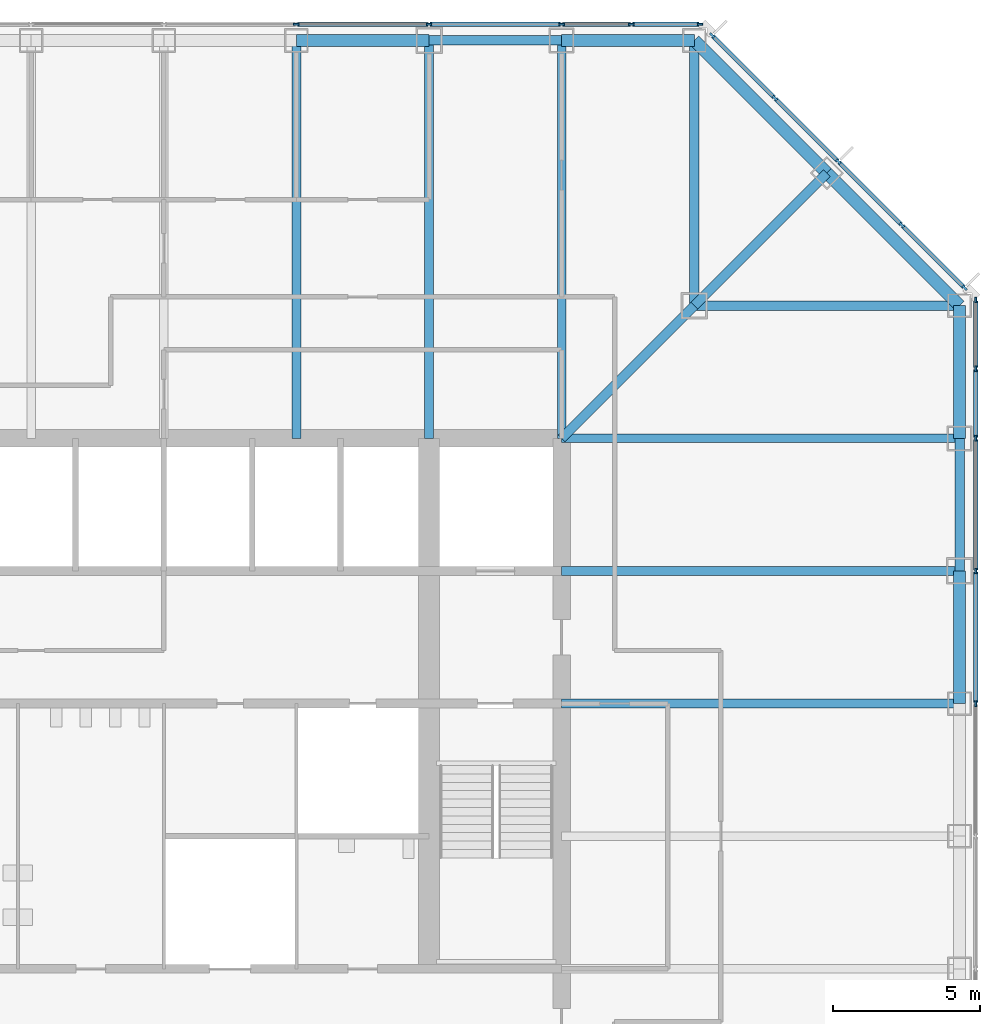
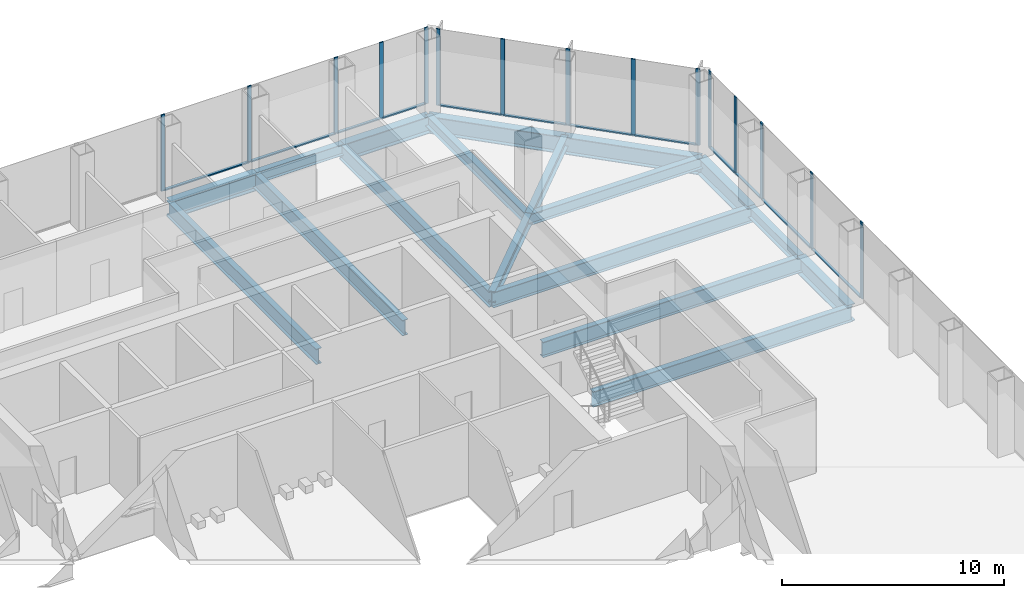
# One storey, part 6 of 13: 27 members, 18 beams, 3 elements without a shape of their own.
"""IFC4 building model written with IfcOpenShell, lengths in metres."""

import ifcopenshell
import ifcopenshell.guid

model = None  # the IFC model being written
_history = None  # IfcOwnerHistory: only IFC2X3 demands one
_inside = {}  # id of a spatial element -> (the spatial element, [elements in it])
_under = {}  # id of a project, library or spatial element -> (it, [spatial elements below it])
_declared = {}  # id of a project -> (the project, [libraries it declares])
_typed = {}  # id of a type object -> (the type object, [elements of that type])
_made_of = {}  # id of a material, layer set ... -> (it, [elements and type objects made of it])


def new_model(schema):
    """Start an empty IFC model of exactly this schema.

    Asked for "IFC4X3", IfcOpenShell would pick the latest addendum, in which some entities
    have other attributes; the version numbers below select the first issue.
    IFC2X3 requires an IfcOwnerHistory on every rooted entity: one is made here for all.
    """
    global model, _history
    if schema == "IFC4X3":
        model = ifcopenshell.file(schema_version=(4, 3, 0, 0))
    else:
        model = ifcopenshell.file(schema=schema)
    _inside.clear()
    _under.clear()
    _declared.clear()
    _typed.clear()
    _made_of.clear()
    _history = None
    if model.schema == "IFC2X3":
        org = make("IfcOrganization", Name="unknown")
        user = make(
            "IfcPersonAndOrganization",
            ThePerson=make("IfcPerson", FamilyName="unknown"),
            TheOrganization=org,
        )
        app = make(
            "IfcApplication",
            ApplicationDeveloper=org,
            Version="unknown",
            ApplicationFullName="unknown",
            ApplicationIdentifier="unknown",
        )
        _history = make(
            "IfcOwnerHistory",
            OwningUser=user,
            OwningApplication=app,
            ChangeAction="ADDED",
            CreationDate=0,
        )
    return model


def make(cls, **values):
    """One entity of the class cls with the attributes given. An attribute that is None is left unset."""
    return model.create_entity(
        cls, **{name: value for name, value in values.items() if value is not None}
    )


def rooted(cls, **values):
    """An entity with a GlobalId (a new one), such as an element, a storey or a relation."""
    return make(cls, GlobalId=ifcopenshell.guid.new(), OwnerHistory=_history, **values)


def si_unit(unit_type, name, prefix=None):
    """IfcSIUnit, for example si_unit("LENGTHUNIT", "METRE", prefix="MILLI")."""
    return make("IfcSIUnit", UnitType=unit_type, Prefix=prefix, Name=name)


def assignment(units):
    """IfcUnitAssignment: the units of a project."""
    return None if units is None else make("IfcUnitAssignment", Units=units)


def point(xyz):
    """IfcCartesianPoint."""
    return None if xyz is None else make("IfcCartesianPoint", Coordinates=xyz)


def direction(xyz):
    """IfcDirection."""
    return None if xyz is None else make("IfcDirection", DirectionRatios=xyz)


def frame(location, z_axis=None, x_axis=None):
    """IfcAxis2Placement3D, a coordinate frame: its origin and axes. An axis left out is left unset."""
    return make(
        "IfcAxis2Placement3D",
        Location=point(location),
        Axis=direction(z_axis),
        RefDirection=direction(x_axis),
    )


def frame_2d(location, x_axis=None):
    """IfcAxis2Placement2D, a coordinate frame in the plane: its origin and x axis."""
    return make(
        "IfcAxis2Placement2D", Location=point(location), RefDirection=direction(x_axis)
    )


def origin():
    """The frame at (0, 0, 0) with its axes left unset."""
    return frame((0.0, 0.0, 0.0))


def origin_2d():
    """The frame at (0, 0) in the plane with its x axis left unset."""
    return frame_2d((0.0, 0.0))


def place(relative_to, where):
    """IfcLocalPlacement: puts the frame where relative to a parent placement (None: the world)."""
    return make(
        "IfcLocalPlacement", PlacementRelTo=relative_to, RelativePlacement=where
    )


def context(
    kind, dimensions, precision=None, world=None, true_north=None, identifier=None
):
    """IfcGeometricRepresentationContext, for example the 3D "Model" context."""
    return make(
        "IfcGeometricRepresentationContext",
        ContextIdentifier=identifier,
        ContextType=kind,
        CoordinateSpaceDimension=dimensions,
        Precision=precision,
        WorldCoordinateSystem=world,
        TrueNorth=true_north,
    )


def subcontext(parent, identifier, kind, view, scale=None):
    """IfcGeometricRepresentationSubContext, for example "Body" below "Model"."""
    return make(
        "IfcGeometricRepresentationSubContext",
        ContextIdentifier=identifier,
        ContextType=kind,
        ParentContext=parent,
        TargetScale=scale,
        TargetView=view,
    )


def project(units=None, contexts=None):
    """IfcProject with its units and contexts."""
    return rooted(
        "IfcProject",
        Name="project",
        RepresentationContexts=contexts,
        UnitsInContext=assignment(units),
    )


def spatial(cls, under=None, at=None, **own):
    """A site, building, storey or space (cls), placed at a placement, below another one or the project."""
    s = rooted(cls, ObjectPlacement=at, **own)
    if under is not None:
        _under.setdefault(under.id(), (under, []))[1].append(s)
    return s


def profile(cls, at=None, kind="AREA", **sizes):
    """A parametric profile (cls). Its sizes go by their IFC names, for example OverallWidth=200.0."""
    return make(cls, ProfileType=kind, Position=at, **sizes)


def rectangle(**sizes):
    """IfcRectangleProfileDef."""
    return profile("IfcRectangleProfileDef", **sizes)


def i_section(**sizes):
    """IfcIShapeProfileDef."""
    return profile("IfcIShapeProfileDef", **sizes)


def extrude(swept, where, along, depth):
    """IfcExtrudedAreaSolid: the profile swept, set in the frame where, extruded along a direction by depth."""
    return make(
        "IfcExtrudedAreaSolid",
        SweptArea=swept,
        Position=where,
        ExtrudedDirection=direction(along),
        Depth=depth,
    )


def shape(context_of_items, identifier, shape_type, items):
    """IfcShapeRepresentation: the items that make up one representation, for example the "Body"."""
    return make(
        "IfcShapeRepresentation",
        ContextOfItems=context_of_items,
        RepresentationIdentifier=identifier,
        RepresentationType=shape_type,
        Items=items,
    )


def material(Name=None, Category=None):
    """IfcMaterial."""
    return make("IfcMaterial", Name=Name, Category=Category)


def material_profile(
    of_material, cross_section, Name=None, Category=None, Priority=None
):
    """IfcMaterialProfile: a cross section and its material."""
    return make(
        "IfcMaterialProfile",
        Name=Name,
        Material=of_material,
        Profile=cross_section,
        Priority=Priority,
        Category=Category,
    )


def profile_set(profiles, Name=None, composite=None):
    """IfcMaterialProfileSet."""
    return make(
        "IfcMaterialProfileSet",
        Name=Name,
        MaterialProfiles=profiles,
        CompositeProfile=composite,
    )


def made_of(thing, what):
    """Note that an element or type object is made of a material, layer set ...; save() writes the relation."""
    if what is not None:
        _made_of.setdefault(what.id(), (what, []))[1].append(thing)
    return thing


def type_object(cls, material=None, **own):
    """A type object (cls), such as IfcWallType, which elements share."""
    return made_of(rooted(cls, **own), material)


def element(
    cls,
    number,
    at=None,
    inside=None,
    cuts=None,
    type_object=None,
    material=None,
    context=None,
    identifier="Body",
    shape_type=None,
    held_by="IfcProductDefinitionShape",
    body=None,
    shapes=None,
    **own,
):
    """One element of the class cls, such as IfcWall. Its Tag is "e" and its number.

    at: its placement. inside: the storey or other place that contains it. cuts: it is an
    opening in that element (IfcRelVoidsElement). A single representation is given by context,
    identifier, shape_type and body (its items); several are given by shapes. held_by: the class
    of the entity that holds the representations. save() writes the other relations.
    """
    e = rooted(cls, Tag="e%d" % number, ObjectPlacement=at, **own)
    if body is not None:
        shapes = [shape(context, identifier, shape_type, body)]
    if shapes is not None:
        e.Representation = make(held_by, Representations=shapes)
    if inside is not None:
        _inside.setdefault(inside.id(), (inside, []))[1].append(e)
    if cuts is not None:
        rooted(
            "IfcRelVoidsElement", RelatingBuildingElement=cuts, RelatedOpeningElement=e
        )
    if type_object is not None:
        _typed.setdefault(type_object.id(), (type_object, []))[1].append(e)
    return made_of(e, material)


def aggregate(whole, parts):
    """IfcRelAggregates: a whole, such as a stair, and the parts it consists of."""
    return rooted("IfcRelAggregates", RelatingObject=whole, RelatedObjects=parts)


def save(model, path):
    """Write the relations noted so far, then the file.

    IfcRelAggregates (storeys below a building ...), IfcRelContainedInSpatialStructure (elements
    in a storey), IfcRelDefinesByType, IfcRelAssociatesMaterial and IfcRelDeclares: one each for
    every whole, place, type object, material and project.
    """
    for whole, parts in _under.values():
        aggregate(whole, parts)
    for where, things in _inside.values():
        rooted(
            "IfcRelContainedInSpatialStructure",
            RelatedElements=things,
            RelatingStructure=where,
        )
    for kind, things in _typed.values():
        rooted("IfcRelDefinesByType", RelatedObjects=things, RelatingType=kind)
    for what, things in _made_of.values():
        rooted("IfcRelAssociatesMaterial", RelatedObjects=things, RelatingMaterial=what)
    for by, libraries in _declared.values():
        rooted("IfcRelDeclares", RelatingContext=by, RelatedDefinitions=libraries)
    model.write(path)


model = new_model("IFC4")

# Units and contexts
model_context = context("Model", 3, precision=1e-05, world=origin(), true_north=direction((0.0, 1.0)))
body_context = subcontext(model_context, "Body", "Model", "MODEL_VIEW")
ifc_project = project(units=[si_unit("LENGTHUNIT", "METRE"), si_unit("AREAUNIT", "SQUARE_METRE"), si_unit("VOLUMEUNIT", "CUBIC_METRE"), si_unit("PLANEANGLEUNIT", "RADIAN"), si_unit("MASSUNIT", "GRAM", prefix="KILO")], contexts=[model_context])

# Site, building, storey
site_placement = place(None, origin())
site = spatial("IfcSite", under=ifc_project, at=site_placement, CompositionType="ELEMENT")
building_placement = place(site_placement, origin())
building = spatial("IfcBuilding", under=site, at=building_placement, Name="Corais Broadcast Tower", CompositionType="ELEMENT")
storey_placement = place(building_placement, frame((0.0, 0.0, 83.60009765625)))
storey = spatial("IfcBuildingStorey", under=building, at=storey_placement, Name="L18", CompositionType="ELEMENT", Elevation=83.60009765625)

# Beams
ifc_material_1 = material(Name="Steel ASTM A572 Grade 50", Category="steel")
ifc_material_profile_1 = material_profile(ifc_material_1, i_section(OverallWidth=0.323974609375, OverallDepth=0.611083984375, WebThickness=0.0126953125, FlangeThickness=0.01904296875, at=origin_2d()), Name="W610x155")
ifc_profile_set_1 = profile_set([ifc_material_profile_1], Name="Steel ASTM A572 Grade 50")
beam_type_1 = type_object("IfcBeamType", Name="Chamfer tie W610x155", PredefinedType="BEAM", material=ifc_profile_set_1)
beam_1_placement = place(storey_placement, frame((49.5, 49.5, -0.465576171875), z_axis=(-0.707106781187, -0.707106781187, 0.0), x_axis=(0.707106781187, -0.707106781187, 0.0)))
element("IfcBeam", 1, at=beam_1_placement, inside=storey, type_object=beam_type_1, Name="B5 M/14 to L/13", PredefinedType="BEAM", context=body_context, shape_type="SweptSolid", body=[
    extrude(i_section(OverallWidth=0.323974609375, OverallDepth=0.611083984375, WebThickness=0.0126953125, FlangeThickness=0.01904296875, at=origin_2d()), origin(), (0.0, 0.0, 1.0), 6.364013671875),
])
ifc_material_2 = material(Name="Steel ASTM A572 Grade 50", Category="steel")
ifc_material_profile_2 = material_profile(ifc_material_2, i_section(OverallWidth=0.323974609375, OverallDepth=0.611083984375, WebThickness=0.0126953125, FlangeThickness=0.01904296875, at=origin_2d()), Name="W610x155")
ifc_profile_set_2 = profile_set([ifc_material_profile_2], Name="Steel ASTM A572 Grade 50")
beam_type_2 = type_object("IfcBeamType", Name="Corner diagonal W610x155", PredefinedType="BEAM", material=ifc_profile_set_2)
beam_2_placement = place(storey_placement, frame((45.0, 45.0, -0.465576171875), z_axis=(-0.707106781187, -0.707106781187, 0.0), x_axis=(0.707106781187, -0.707106781187, 0.0)))
element("IfcBeam", 2, at=beam_2_placement, inside=storey, type_object=beam_type_2, Name="B6 L/13 to K/12", PredefinedType="BEAM", context=body_context, shape_type="SweptSolid", body=[
    extrude(i_section(OverallWidth=0.323974609375, OverallDepth=0.611083984375, WebThickness=0.0126953125, FlangeThickness=0.01904296875, at=origin_2d()), origin(), (0.0, 0.0, 1.0), 6.364013671875),
])
ifc_material_3 = material(Name="Steel ASTM A572 Grade 50", Category="steel")
ifc_material_profile_3 = material_profile(ifc_material_3, i_section(OverallWidth=0.323974609375, OverallDepth=0.611083984375, WebThickness=0.0126953125, FlangeThickness=0.01904296875, at=origin_2d()), Name="W610x155")
ifc_profile_set_3 = profile_set([ifc_material_profile_3], Name="Steel ASTM A572 Grade 50")
beam_type_3 = type_object("IfcBeamType", Name="Corner girder W610x155", PredefinedType="BEAM", material=ifc_profile_set_3)
for number, where, z_axis, x_axis, name in (
    (3, (45.0, 54.0, -0.465576171875), (0.0, -1.0, 0.0), (1.0, 0.0, 0.0), "B4 N/13 to L/13"),
    (4, (54.0, 45.0, -0.465576171875), (-1.0, 0.0, 0.0), (0.0, -1.0, 0.0), "B4 L/15 to L/13"),
):
    element("IfcBeam", number, at=place(storey_placement, frame(where, z_axis=z_axis, x_axis=x_axis)), inside=storey, type_object=beam_type_3, Name=name, PredefinedType="BEAM", context=body_context, shape_type="SweptSolid", body=[
        extrude(i_section(OverallWidth=0.323974609375, OverallDepth=0.611083984375, WebThickness=0.0126953125, FlangeThickness=0.01904296875, at=origin_2d()), origin(), (0.0, 0.0, 1.0), 9.0),
    ])
ifc_material_4 = material(Name="Steel ASTM A572 Grade 50", Category="steel")
ifc_material_profile_4 = material_profile(ifc_material_4, i_section(OverallWidth=0.2939453125, OverallDepth=0.85107421875, WebThickness=0.01611328125, FlangeThickness=0.02685546875, at=origin_2d()), Name="W840x226")
ifc_profile_set_4 = profile_set([ifc_material_profile_4], Name="Steel ASTM A572 Grade 50")
beam_type_4 = type_object("IfcBeamType", Name="Floor beam W840x226", PredefinedType="BEAM", material=ifc_profile_set_4)
for number, where, z_axis, x_axis, name in (
    (5, (31.5, 54.0, -0.585693359375), (0.0, -1.0, 0.0), (1.0, 0.0, 0.0), "B1 N/10 to K/10"),
    (6, (36.0, 54.0, -0.585693359375), (0.0, -1.0, 0.0), (1.0, 0.0, 0.0), "B1 N/11 to K/11"),
    (7, (40.5, 54.0, -0.585693359375), (0.0, -1.0, 0.0), (1.0, 0.0, 0.0), "B1 N/12 to K/12"),
    (8, (54.0, 31.5, -0.585693359375), (-1.0, 0.0, 0.0), (0.0, -1.0, 0.0), "B1 H/15 to H/12"),
    (9, (54.0, 36.0, -0.585693359375), (-1.0, 0.0, 0.0), (0.0, -1.0, 0.0), "B1 J/15 to J/12"),
    (10, (54.0, 40.5, -0.585693359375), (-1.0, 0.0, 0.0), (0.0, -1.0, 0.0), "B1 K/15 to K/12"),
):
    element("IfcBeam", number, at=place(storey_placement, frame(where, z_axis=z_axis, x_axis=x_axis)), inside=storey, type_object=beam_type_4, Name=name, PredefinedType="BEAM", context=body_context, shape_type="SweptSolid", body=[
        extrude(i_section(OverallWidth=0.2939453125, OverallDepth=0.85107421875, WebThickness=0.01611328125, FlangeThickness=0.02685546875, at=origin_2d()), origin(), (0.0, 0.0, 1.0), 13.5),
    ])

# Curtain wall, members
ifc_material_5 = material(Name="Aluminium and glass", Category="aluminium")
curtain_wall_type = type_object("IfcCurtainWallType", Name="Unitised fritted curtain wall CW1", PredefinedType="NOTDEFINED", material=ifc_material_5)
curtain_wall_1_placement = place(storey_placement, origin())
curtain_wall_1 = element("IfcCurtainWall", 11, at=curtain_wall_1_placement, inside=storey, type_object=curtain_wall_type, Name="CW1 curtain wall L18 4", PredefinedType="NOTDEFINED")
ifc_material_6 = material(Name="Aluminium 6063-T6", Category="aluminium")
ifc_material_profile_5 = material_profile(ifc_material_6, rectangle(XDim=0.06494140625, YDim=0.199951171875, at=origin_2d()), Name="Mullion CW1 65x200")
ifc_profile_set_5 = profile_set([ifc_material_profile_5], Name="Aluminium 6063-T6")
member_type_1 = type_object("IfcMemberType", Name="Mullion CW1 65x200", PredefinedType="MULLION", material=ifc_profile_set_5)
member_1_placement = place(storey_placement, frame((31.5, 54.550048828125, 0.0), z_axis=(0.0, 0.0, 1.0), x_axis=(0.0, 1.0, 0.0)))
member_1 = element("IfcMember", 12, at=member_1_placement, type_object=member_type_1, Name="CW1 mullion 7", PredefinedType="MULLION", context=body_context, shape_type="SweptSolid", body=[
    extrude(rectangle(XDim=0.06494140625, YDim=0.199951171875, at=origin_2d()), origin(), (0.0, 0.0, 1.0), 4.199951171875),
])
member_2_placement = place(storey_placement, frame((36.0, 54.550048828125, 0.0), z_axis=(0.0, 0.0, 1.0), x_axis=(0.0, 1.0, 0.0)))
member_2 = element("IfcMember", 13, at=member_2_placement, type_object=member_type_1, Name="CW1 mullion 8", PredefinedType="MULLION", context=body_context, shape_type="SweptSolid", body=[
    extrude(rectangle(XDim=0.06494140625, YDim=0.199951171875, at=origin_2d()), origin(), (0.0, 0.0, 1.0), 4.199951171875),
])
member_3_placement = place(storey_placement, frame((40.5, 54.550048828125, 0.0), z_axis=(0.0, 0.0, 1.0), x_axis=(0.0, 1.0, 0.0)))
member_3 = element("IfcMember", 14, at=member_3_placement, type_object=member_type_1, Name="CW1 mullion 9", PredefinedType="MULLION", context=body_context, shape_type="SweptSolid", body=[
    extrude(rectangle(XDim=0.06494140625, YDim=0.199951171875, at=origin_2d()), origin(), (0.0, 0.0, 1.0), 4.199951171875),
])
member_4_placement = place(storey_placement, frame((42.864013671875, 54.550048828125, 0.0), z_axis=(0.0, 0.0, 1.0), x_axis=(0.0, 1.0, 0.0)))
member_4 = element("IfcMember", 15, at=member_4_placement, type_object=member_type_1, Name="CW1 mullion 10", PredefinedType="MULLION", context=body_context, shape_type="SweptSolid", body=[
    extrude(rectangle(XDim=0.06494140625, YDim=0.199951171875, at=origin_2d()), origin(), (0.0, 0.0, 1.0), 4.199951171875),
])
member_5_placement = place(storey_placement, frame((45.1953125, 54.550048828125, 0.0), z_axis=(0.0, 0.0, 1.0), x_axis=(0.0, 1.0, 0.0)))
member_5 = element("IfcMember", 16, at=member_5_placement, type_object=member_type_1, Name="CW1 mullion 11", PredefinedType="MULLION", context=body_context, shape_type="SweptSolid", body=[
    extrude(rectangle(XDim=0.06494140625, YDim=0.199951171875, at=origin_2d()), origin(), (0.0, 0.0, 1.0), 4.199951171875),
])

curtain_wall_2_placement = place(storey_placement, origin())
curtain_wall_2 = element("IfcCurtainWall", 17, at=curtain_wall_2_placement, inside=storey, type_object=curtain_wall_type, Name="CW1 curtain wall L18 5", PredefinedType="NOTDEFINED")
member_6_placement = place(storey_placement, frame((45.6044921875, 54.17333984375, 0.0), z_axis=(0.0, 0.0, 1.0), x_axis=(0.707106781187, 0.707106781187, 0.0)))
member_6 = element("IfcMember", 18, at=member_6_placement, type_object=member_type_1, Name="CW1 mullion 1", PredefinedType="MULLION", context=body_context, shape_type="SweptSolid", body=[
    extrude(rectangle(XDim=0.06494140625, YDim=0.199951171875, at=origin_2d()), origin(), (0.0, 0.0, 1.0), 4.199951171875),
])
member_7_placement = place(storey_placement, frame((47.735107421875, 52.042724609375, 0.0), z_axis=(0.0, 0.0, 1.0), x_axis=(0.707106781187, 0.707106781187, 0.0)))
member_7 = element("IfcMember", 19, at=member_7_placement, type_object=member_type_1, Name="CW1 mullion 2", PredefinedType="MULLION", context=body_context, shape_type="SweptSolid", body=[
    extrude(rectangle(XDim=0.06494140625, YDim=0.199951171875, at=origin_2d()), origin(), (0.0, 0.0, 1.0), 4.199951171875),
])
member_8_placement = place(storey_placement, frame((49.888916015625, 49.888916015625, 0.0), z_axis=(0.0, 0.0, 1.0), x_axis=(0.707106781187, 0.707106781187, 0.0)))
member_8 = element("IfcMember", 20, at=member_8_placement, type_object=member_type_1, Name="CW1 mullion 3", PredefinedType="MULLION", context=body_context, shape_type="SweptSolid", body=[
    extrude(rectangle(XDim=0.06494140625, YDim=0.199951171875, at=origin_2d()), origin(), (0.0, 0.0, 1.0), 4.199951171875),
])
member_9_placement = place(storey_placement, frame((52.042724609375, 47.735107421875, 0.0), z_axis=(0.0, 0.0, 1.0), x_axis=(0.707106781187, 0.707106781187, 0.0)))
member_9 = element("IfcMember", 21, at=member_9_placement, type_object=member_type_1, Name="CW1 mullion 4", PredefinedType="MULLION", context=body_context, shape_type="SweptSolid", body=[
    extrude(rectangle(XDim=0.06494140625, YDim=0.199951171875, at=origin_2d()), origin(), (0.0, 0.0, 1.0), 4.199951171875),
])
member_10_placement = place(storey_placement, frame((54.17333984375, 45.6044921875, 0.0), z_axis=(0.0, 0.0, 1.0), x_axis=(0.707106781187, 0.707106781187, 0.0)))
member_10 = element("IfcMember", 22, at=member_10_placement, type_object=member_type_1, Name="CW1 mullion 5", PredefinedType="MULLION", context=body_context, shape_type="SweptSolid", body=[
    extrude(rectangle(XDim=0.06494140625, YDim=0.199951171875, at=origin_2d()), origin(), (0.0, 0.0, 1.0), 4.199951171875),
])

curtain_wall_3_placement = place(storey_placement, origin())
curtain_wall_3 = element("IfcCurtainWall", 23, at=curtain_wall_3_placement, inside=storey, type_object=curtain_wall_type, Name="CW1 curtain wall L18 6", PredefinedType="NOTDEFINED")
member_11_placement = place(storey_placement, frame((54.550048828125, 45.1953125, 0.0), z_axis=(0.0, 0.0, 1.0), x_axis=(1.0, 0.0, 0.0)))
member_11 = element("IfcMember", 24, at=member_11_placement, type_object=member_type_1, Name="CW1 mullion 1", PredefinedType="MULLION", context=body_context, shape_type="SweptSolid", body=[
    extrude(rectangle(XDim=0.06494140625, YDim=0.199951171875, at=origin_2d()), origin(), (0.0, 0.0, 1.0), 4.199951171875),
])
member_12_placement = place(storey_placement, frame((54.550048828125, 42.864013671875, 0.0), z_axis=(0.0, 0.0, 1.0), x_axis=(1.0, 0.0, 0.0)))
member_12 = element("IfcMember", 25, at=member_12_placement, type_object=member_type_1, Name="CW1 mullion 2", PredefinedType="MULLION", context=body_context, shape_type="SweptSolid", body=[
    extrude(rectangle(XDim=0.06494140625, YDim=0.199951171875, at=origin_2d()), origin(), (0.0, 0.0, 1.0), 4.199951171875),
])
member_13_placement = place(storey_placement, frame((54.550048828125, 40.5, 0.0), z_axis=(0.0, 0.0, 1.0), x_axis=(1.0, 0.0, 0.0)))
member_13 = element("IfcMember", 26, at=member_13_placement, type_object=member_type_1, Name="CW1 mullion 3", PredefinedType="MULLION", context=body_context, shape_type="SweptSolid", body=[
    extrude(rectangle(XDim=0.06494140625, YDim=0.199951171875, at=origin_2d()), origin(), (0.0, 0.0, 1.0), 4.199951171875),
])
member_14_placement = place(storey_placement, frame((54.550048828125, 36.0, 0.0), z_axis=(0.0, 0.0, 1.0), x_axis=(1.0, 0.0, 0.0)))
member_14 = element("IfcMember", 27, at=member_14_placement, type_object=member_type_1, Name="CW1 mullion 4", PredefinedType="MULLION", context=body_context, shape_type="SweptSolid", body=[
    extrude(rectangle(XDim=0.06494140625, YDim=0.199951171875, at=origin_2d()), origin(), (0.0, 0.0, 1.0), 4.199951171875),
])
member_15_placement = place(storey_placement, frame((54.550048828125, 31.5, 0.0), z_axis=(0.0, 0.0, 1.0), x_axis=(1.0, 0.0, 0.0)))
member_15 = element("IfcMember", 28, at=member_15_placement, type_object=member_type_1, Name="CW1 mullion 5", PredefinedType="MULLION", context=body_context, shape_type="SweptSolid", body=[
    extrude(rectangle(XDim=0.06494140625, YDim=0.199951171875, at=origin_2d()), origin(), (0.0, 0.0, 1.0), 4.199951171875),
])

# Beams
ifc_material_7 = material(Name="Steel ASTM A572 Grade 50", Category="steel")
ifc_material_profile_6 = material_profile(ifc_material_7, i_section(OverallWidth=0.323974609375, OverallDepth=0.611083984375, WebThickness=0.0126953125, FlangeThickness=0.01904296875, at=origin_2d()), Name="W610x155")
ifc_profile_set_6 = profile_set([ifc_material_profile_6], Name="Steel ASTM A572 Grade 50")
beam_type_5 = type_object("IfcBeamType", Name="Pinned spandrel W610x155", PredefinedType="BEAM", material=ifc_profile_set_6)
for number, where, z_axis, x_axis, name in (
    (29, (40.5, 54.0, -0.465576171875), (-1.0, 0.0, 0.0), (0.0, -1.0, 0.0), "SB6 N/12 to N/11"),
    (30, (54.0, 36.0, -0.465576171875), (0.0, 1.0, 0.0), (-1.0, 0.0, 0.0), "SB6 J/15 to K/15"),
):
    element("IfcBeam", number, at=place(storey_placement, frame(where, z_axis=z_axis, x_axis=x_axis)), inside=storey, type_object=beam_type_5, Name=name, PredefinedType="BEAM", context=body_context, shape_type="SweptSolid", body=[
        extrude(i_section(OverallWidth=0.323974609375, OverallDepth=0.611083984375, WebThickness=0.0126953125, FlangeThickness=0.01904296875, at=origin_2d()), origin(), (0.0, 0.0, 1.0), 4.5),
    ])
ifc_material_8 = material(Name="Steel ASTM A572 Grade 50", Category="steel")
ifc_material_profile_7 = material_profile(ifc_material_8, i_section(OverallWidth=0.4189453125, OverallDepth=0.94189453125, WebThickness=0.022216796875, FlangeThickness=0.03662109375, at=origin_2d()), Name="W920x345")
ifc_profile_set_7 = profile_set([ifc_material_profile_7], Name="Steel ASTM A572 Grade 50")
beam_type_6 = type_object("IfcBeamType", Name="Transfer spandrel W920x345", PredefinedType="BEAM", material=ifc_profile_set_7)
for number, where, z_axis, x_axis, name in (
    (31, (36.0, 54.0, -0.631103515625), (-1.0, 0.0, 0.0), (0.0, -1.0, 0.0), "SB4 N/11 to N/10"),
    (32, (45.0, 54.0, -0.631103515625), (-1.0, 0.0, 0.0), (0.0, -1.0, 0.0), "SB4 N/13 to N/12"),
):
    element("IfcBeam", number, at=place(storey_placement, frame(where, z_axis=z_axis, x_axis=x_axis)), inside=storey, type_object=beam_type_6, Name=name, PredefinedType="BEAM", context=body_context, shape_type="SweptSolid", body=[
        extrude(i_section(OverallWidth=0.4189453125, OverallDepth=0.94189453125, WebThickness=0.022216796875, FlangeThickness=0.03662109375, at=origin_2d()), origin(), (0.0, 0.0, 1.0), 4.5),
    ])
beam_3_placement = place(storey_placement, frame((49.5, 49.5, -0.631103515625), z_axis=(-0.707106781187, 0.707106781187, 0.0), x_axis=(-0.707106781187, -0.707106781187, 0.0)))
element("IfcBeam", 33, at=beam_3_placement, inside=storey, type_object=beam_type_6, Name="SB4 M/14 to N/13", PredefinedType="BEAM", context=body_context, shape_type="SweptSolid", body=[
    extrude(i_section(OverallWidth=0.4189453125, OverallDepth=0.94189453125, WebThickness=0.022216796875, FlangeThickness=0.03662109375, at=origin_2d()), origin(), (0.0, 0.0, 1.0), 6.364013671875),
])
for number, where, z_axis, x_axis, name in (
    (34, (54.0, 31.5, -0.631103515625), (0.0, 1.0, 0.0), (-1.0, 0.0, 0.0), "SB4 H/15 to J/15"),
    (35, (54.0, 40.5, -0.631103515625), (0.0, 1.0, 0.0), (-1.0, 0.0, 0.0), "SB4 K/15 to L/15"),
):
    element("IfcBeam", number, at=place(storey_placement, frame(where, z_axis=z_axis, x_axis=x_axis)), inside=storey, type_object=beam_type_6, Name=name, PredefinedType="BEAM", context=body_context, shape_type="SweptSolid", body=[
        extrude(i_section(OverallWidth=0.4189453125, OverallDepth=0.94189453125, WebThickness=0.022216796875, FlangeThickness=0.03662109375, at=origin_2d()), origin(), (0.0, 0.0, 1.0), 4.5),
    ])
beam_4_placement = place(storey_placement, frame((54.0, 45.0, -0.631103515625), z_axis=(-0.707106781187, 0.707106781187, 0.0), x_axis=(-0.707106781187, -0.707106781187, 0.0)))
element("IfcBeam", 36, at=beam_4_placement, inside=storey, type_object=beam_type_6, Name="SB4 L/15 to M/14", PredefinedType="BEAM", context=body_context, shape_type="SweptSolid", body=[
    extrude(i_section(OverallWidth=0.4189453125, OverallDepth=0.94189453125, WebThickness=0.022216796875, FlangeThickness=0.03662109375, at=origin_2d()), origin(), (0.0, 0.0, 1.0), 6.364013671875),
])

# Member
ifc_material_9 = material(Name="Aluminium 6063-T6", Category="aluminium")
ifc_material_profile_8 = material_profile(ifc_material_9, rectangle(XDim=0.139892578125, YDim=0.06494140625, at=origin_2d()), Name="Transom CW1 65x140")
ifc_profile_set_8 = profile_set([ifc_material_profile_8], Name="Aluminium 6063-T6")
member_type_2 = type_object("IfcMemberType", Name="Transom CW1 65x140", PredefinedType="USERDEFINED", material=ifc_profile_set_8)
member_16_placement = place(storey_placement, frame((31.532470703125, 54.550048828125, 0.032470703125), z_axis=(1.0, 0.0, 0.0), x_axis=(0.0, 1.0, 0.0)))
member_16 = element("IfcMember", 37, at=member_16_placement, type_object=member_type_2, Name="CW1 transom 7.1", ObjectType="TRANSOM", PredefinedType="USERDEFINED", context=body_context, shape_type="SweptSolid", body=[
    extrude(rectangle(XDim=0.139892578125, YDim=0.06494140625, at=origin_2d()), origin(), (0.0, 0.0, 1.0), 4.43505859375),
])

member_17_placement = place(storey_placement, frame((36.032470703125, 54.550048828125, 0.032470703125), z_axis=(1.0, 0.0, 0.0), x_axis=(0.0, 1.0, 0.0)))
member_17 = element("IfcMember", 38, at=member_17_placement, type_object=member_type_2, Name="CW1 transom 8.1", ObjectType="TRANSOM", PredefinedType="USERDEFINED", context=body_context, shape_type="SweptSolid", body=[
    extrude(rectangle(XDim=0.139892578125, YDim=0.06494140625, at=origin_2d()), origin(), (0.0, 0.0, 1.0), 4.43505859375),
])

member_18_placement = place(storey_placement, frame((40.532470703125, 54.550048828125, 0.032470703125), z_axis=(1.0, 0.0, 0.0), x_axis=(0.0, 1.0, 0.0)))
member_18 = element("IfcMember", 39, at=member_18_placement, type_object=member_type_2, Name="CW1 transom 9.1", ObjectType="TRANSOM", PredefinedType="USERDEFINED", context=body_context, shape_type="SweptSolid", body=[
    extrude(rectangle(XDim=0.139892578125, YDim=0.06494140625, at=origin_2d()), origin(), (0.0, 0.0, 1.0), 2.298828125),
])

member_19_placement = place(storey_placement, frame((42.896484375, 54.550048828125, 0.032470703125), z_axis=(1.0, 0.0, 0.0), x_axis=(0.0, 1.0, 0.0)))
member_19 = element("IfcMember", 40, at=member_19_placement, type_object=member_type_2, Name="CW1 transom 10.1", ObjectType="TRANSOM", PredefinedType="USERDEFINED", context=body_context, shape_type="SweptSolid", body=[
    extrude(rectangle(XDim=0.139892578125, YDim=0.06494140625, at=origin_2d()), origin(), (0.0, 0.0, 1.0), 2.266357421875),
])

aggregate(curtain_wall_1, [member_1, member_2, member_3, member_4, member_5, member_16, member_17, member_18, member_19])

member_20_placement = place(storey_placement, frame((45.62744140625, 54.150390625, 0.032470703125), z_axis=(0.707106781187, -0.707106781187, 0.0), x_axis=(0.707106781187, 0.707106781187, 0.0)))
member_20 = element("IfcMember", 41, at=member_20_placement, type_object=member_type_2, Name="CW1 transom 1.1", ObjectType="TRANSOM", PredefinedType="USERDEFINED", context=body_context, shape_type="SweptSolid", body=[
    extrude(rectangle(XDim=0.139892578125, YDim=0.06494140625, at=origin_2d()), origin(), (0.0, 0.0, 1.0), 2.9482421875),
])

member_21_placement = place(storey_placement, frame((47.758056640625, 52.019775390625, 0.032470703125), z_axis=(0.707106781187, -0.707106781187, 0.0), x_axis=(0.707106781187, 0.707106781187, 0.0)))
member_21 = element("IfcMember", 42, at=member_21_placement, type_object=member_type_2, Name="CW1 transom 2.1", ObjectType="TRANSOM", PredefinedType="USERDEFINED", context=body_context, shape_type="SweptSolid", body=[
    extrude(rectangle(XDim=0.139892578125, YDim=0.06494140625, at=origin_2d()), origin(), (0.0, 0.0, 1.0), 2.98095703125),
])

member_22_placement = place(storey_placement, frame((49.911865234375, 49.865966796875, 0.032470703125), z_axis=(0.707106781187, -0.707106781187, 0.0), x_axis=(0.707106781187, 0.707106781187, 0.0)))
member_22 = element("IfcMember", 43, at=member_22_placement, type_object=member_type_2, Name="CW1 transom 3.1", ObjectType="TRANSOM", PredefinedType="USERDEFINED", context=body_context, shape_type="SweptSolid", body=[
    extrude(rectangle(XDim=0.139892578125, YDim=0.06494140625, at=origin_2d()), origin(), (0.0, 0.0, 1.0), 2.98095703125),
])

member_23_placement = place(storey_placement, frame((52.065673828125, 47.712158203125, 0.032470703125), z_axis=(0.707106781187, -0.707106781187, 0.0), x_axis=(0.707106781187, 0.707106781187, 0.0)))
member_23 = element("IfcMember", 44, at=member_23_placement, type_object=member_type_2, Name="CW1 transom 4.1", ObjectType="TRANSOM", PredefinedType="USERDEFINED", context=body_context, shape_type="SweptSolid", body=[
    extrude(rectangle(XDim=0.139892578125, YDim=0.06494140625, at=origin_2d()), origin(), (0.0, 0.0, 1.0), 2.9482421875),
])

aggregate(curtain_wall_2, [member_6, member_7, member_8, member_9, member_10, member_20, member_21, member_22, member_23])

member_24_placement = place(storey_placement, frame((54.550048828125, 45.162841796875, 0.032470703125), z_axis=(0.0, -1.0, 0.0), x_axis=(1.0, 0.0, 0.0)))
member_24 = element("IfcMember", 45, at=member_24_placement, type_object=member_type_2, Name="CW1 transom 1.1", ObjectType="TRANSOM", PredefinedType="USERDEFINED", context=body_context, shape_type="SweptSolid", body=[
    extrude(rectangle(XDim=0.139892578125, YDim=0.06494140625, at=origin_2d()), origin(), (0.0, 0.0, 1.0), 2.266357421875),
])

member_25_placement = place(storey_placement, frame((54.550048828125, 42.831298828125, 0.032470703125), z_axis=(0.0, -1.0, 0.0), x_axis=(1.0, 0.0, 0.0)))
member_25 = element("IfcMember", 46, at=member_25_placement, type_object=member_type_2, Name="CW1 transom 2.1", ObjectType="TRANSOM", PredefinedType="USERDEFINED", context=body_context, shape_type="SweptSolid", body=[
    extrude(rectangle(XDim=0.139892578125, YDim=0.06494140625, at=origin_2d()), origin(), (0.0, 0.0, 1.0), 2.298828125),
])

member_26_placement = place(storey_placement, frame((54.550048828125, 40.467529296875, 0.032470703125), z_axis=(0.0, -1.0, 0.0), x_axis=(1.0, 0.0, 0.0)))
member_26 = element("IfcMember", 47, at=member_26_placement, type_object=member_type_2, Name="CW1 transom 3.1", ObjectType="TRANSOM", PredefinedType="USERDEFINED", context=body_context, shape_type="SweptSolid", body=[
    extrude(rectangle(XDim=0.139892578125, YDim=0.06494140625, at=origin_2d()), origin(), (0.0, 0.0, 1.0), 4.43505859375),
])

member_27_placement = place(storey_placement, frame((54.550048828125, 35.967529296875, 0.032470703125), z_axis=(0.0, -1.0, 0.0), x_axis=(1.0, 0.0, 0.0)))
member_27 = element("IfcMember", 48, at=member_27_placement, type_object=member_type_2, Name="CW1 transom 4.1", ObjectType="TRANSOM", PredefinedType="USERDEFINED", context=body_context, shape_type="SweptSolid", body=[
    extrude(rectangle(XDim=0.139892578125, YDim=0.06494140625, at=origin_2d()), origin(), (0.0, 0.0, 1.0), 4.43505859375),
])

aggregate(curtain_wall_3, [member_11, member_12, member_13, member_14, member_15, member_24, member_25, member_26, member_27])

save(model, "model.ifc")
